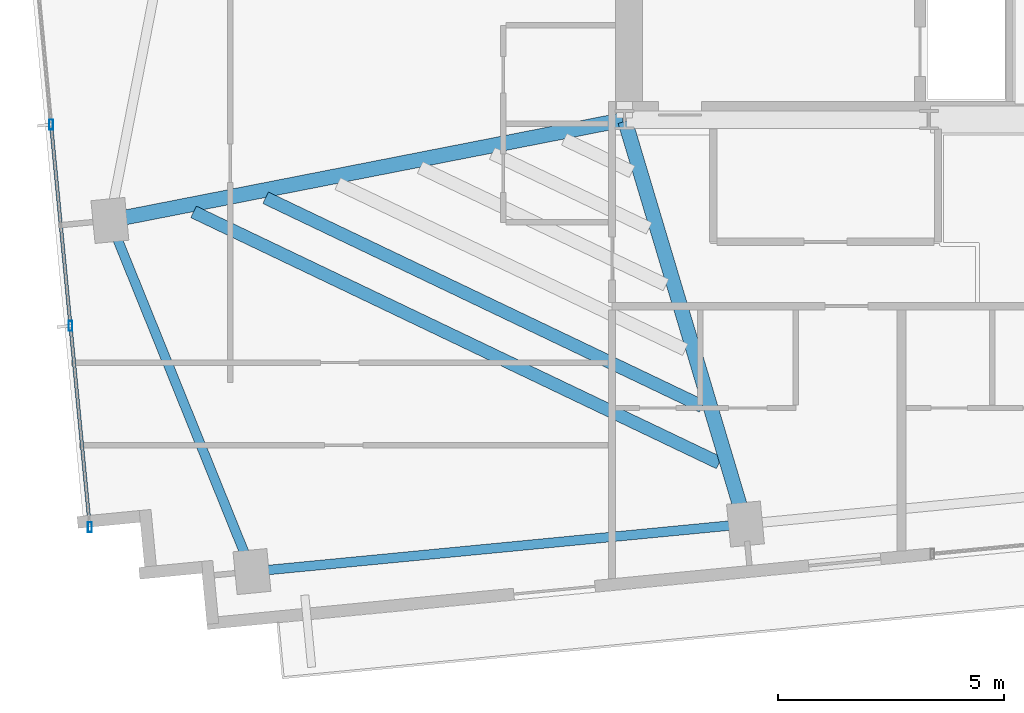
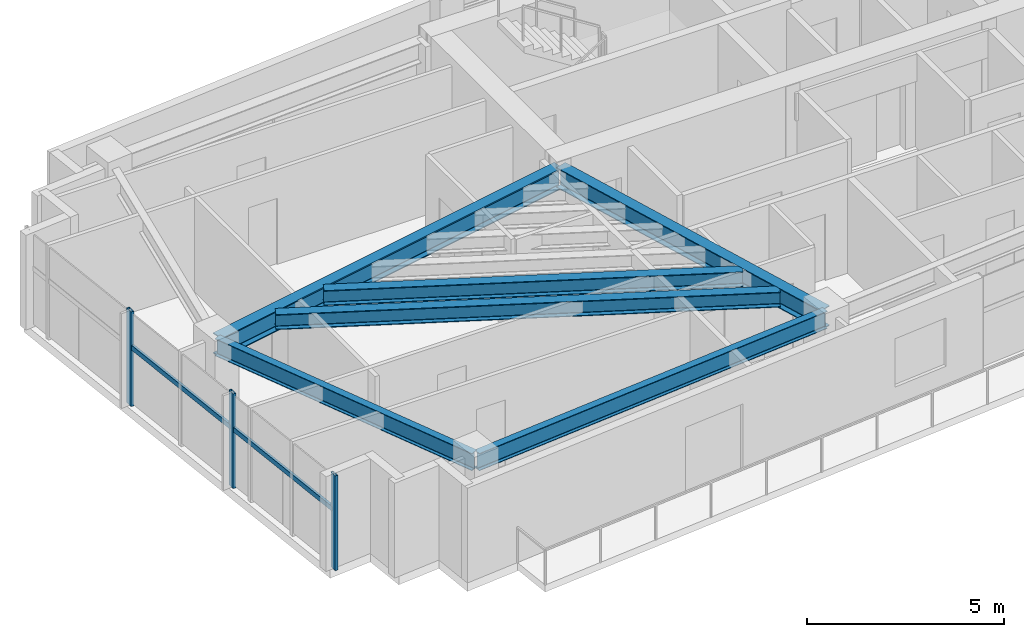
# One storey, part 2 of 18: 6 beams, 5 members, 1 element without a shape of its own.
"""IFC4 building model written with IfcOpenShell, lengths in metres."""

from ifc_helpers import new_model, si_unit, direction, frame, origin, origin_2d, place, context, subcontext, project, spatial, hollow_rectangle, i_section, extrude, source, transform, mapped, material, material_profile, profile_set, type_object, type_shapes, element, aggregate, save


model = new_model("IFC4")

# Units and contexts
model_context = context("Model", 3, precision=1e-05, world=origin(), true_north=direction((0.0, 1.0)))
body_context = subcontext(model_context, "Body", "Model", "MODEL_VIEW")
ifc_project = project(units=[si_unit("LENGTHUNIT", "METRE"), si_unit("AREAUNIT", "SQUARE_METRE"), si_unit("VOLUMEUNIT", "CUBIC_METRE"), si_unit("PLANEANGLEUNIT", "RADIAN"), si_unit("MASSUNIT", "GRAM", prefix="KILO")], contexts=[model_context])

# Site, building, storey
site_placement = place(None, origin())
site = spatial("IfcSite", under=ifc_project, at=site_placement, CompositionType="ELEMENT")
building_placement = place(site_placement, origin())
building = spatial("IfcBuilding", under=site, at=building_placement, Name="Astriad Promenade Condominiums", CompositionType="ELEMENT")
storey_placement = place(building_placement, frame((0.0, 0.0, 189.0)))
storey = spatial("IfcBuildingStorey", under=building, at=storey_placement, Name="L54", CompositionType="ELEMENT", Elevation=189.0)

# Beams
ifc_material_1 = material(Name="Steel ASTM A992 Grade 50", Category="steel")
ifc_material_profile_1 = material_profile(ifc_material_1, i_section(OverallWidth=0.210693359375, OverallDepth=0.53955078125, WebThickness=0.01171875, FlangeThickness=0.018798828125, FilletRadius=0.0166015625, at=origin_2d()), Name="W21X73")
ifc_profile_set_1 = profile_set([ifc_material_profile_1], Name="Steel ASTM A992 Grade 50")
beam_type_1 = type_object("IfcBeamType", Name="STEEL SPANDREL BEAM W21X73", PredefinedType="SPANDREL", material=ifc_profile_set_1)
shared_shape_1 = source(origin(), body_context, "Body", "SweptSolid", [
    extrude(i_section(OverallWidth=0.210693359375, OverallDepth=0.53955078125, WebThickness=0.01171875, FlangeThickness=0.018798828125, FilletRadius=0.0166015625, at=origin_2d()), origin(), (0.0, 0.0, 1.0), 10.8701171875),
])
beam_1_placement = place(storey_placement, frame((18.209228515625, 7.421630859375, 2.67041015625), z_axis=(0.995394986184, 0.09585834069, 0.0), x_axis=(-0.09585834069, 0.995394986184, 0.0)))
element("IfcBeam", 1, at=beam_1_placement, inside=storey, type_object=beam_type_1, Name="Perimeter Spandrel Beam SP-S1-L54", PredefinedType="SPANDREL", context=body_context, shape_type="MappedRepresentation", body=[
    mapped(shared_shape_1, transform((0.0, 0.0, 0.0), scale=1.0)),
])
shared_shape_2 = source(origin(), body_context, "Body", "SweptSolid", [
    extrude(i_section(OverallWidth=0.210693359375, OverallDepth=0.53955078125, WebThickness=0.01171875, FlangeThickness=0.018798828125, FilletRadius=0.0166015625, at=origin_2d()), origin(), (0.0, 0.0, 1.0), 8.28564453125),
])
type_shapes(beam_type_1, [shared_shape_1, shared_shape_2])
beam_2_placement = place(storey_placement, frame((15.046875, 15.1357421875, 2.67041015625), z_axis=(0.375070987134, -0.926996092014, 0.0), x_axis=(0.926996092014, 0.375070987134, 0.0)))
element("IfcBeam", 2, at=beam_2_placement, inside=storey, type_object=beam_type_1, Name="Perimeter Spandrel Beam SP-W1-L54", PredefinedType="SPANDREL", context=body_context, shape_type="MappedRepresentation", body=[
    mapped(shared_shape_2, transform((0.0, 0.0, 0.0), scale=1.0)),
])
ifc_material_profile_2 = material_profile(ifc_material_1, i_section(OverallWidth=0.327392578125, OverallDepth=0.640625, WebThickness=0.01904296875, FlangeThickness=0.033935546875, FilletRadius=0.017822265625, at=origin_2d()), Name="W24X176")
ifc_profile_set_2 = profile_set([ifc_material_profile_2], Name="Steel ASTM A992 Grade 50")
beam_type_2 = type_object("IfcBeamType", Name="STEEL FLOOR GIRDER W24X176", PredefinedType="BEAM", material=ifc_profile_set_2)
shared_shape_3 = source(origin(), body_context, "Body", "SweptSolid", [
    extrude(i_section(OverallWidth=0.327392578125, OverallDepth=0.640625, WebThickness=0.01904296875, FlangeThickness=0.033935546875, FilletRadius=0.017822265625, at=origin_2d()), origin(), (0.0, 0.0, 1.0), 11.504150390625),
])
type_shapes(beam_type_2, [shared_shape_3])
beam_3_placement = place(storey_placement, frame((15.071044921875, 15.1806640625, 2.61962890625), z_axis=(0.981346028441, 0.192249765833, 0.0), x_axis=(-0.192249765833, 0.981346028441, 0.0)))
element("IfcBeam", 3, at=beam_3_placement, inside=storey, type_object=beam_type_2, Name="Primary Floor Girder PG-WM-L54", PredefinedType="BEAM", context=body_context, shape_type="MappedRepresentation", body=[
    mapped(shared_shape_3, transform((0.0, 0.0, 0.0), scale=1.0)),
])
ifc_material_profile_3 = material_profile(ifc_material_1, i_section(OverallWidth=0.326416015625, OverallDepth=0.621826171875, WebThickness=0.015380859375, FlangeThickness=0.0244140625, FilletRadius=0.017822265625, at=origin_2d()), Name="W24X131")
ifc_profile_set_3 = profile_set([ifc_material_profile_3], Name="Steel ASTM A992 Grade 50")
beam_type_3 = type_object("IfcBeamType", Name="STEEL FLOOR GIRDER W24X131", PredefinedType="BEAM", material=ifc_profile_set_3)
shared_shape_4 = source(origin(), body_context, "Body", "SweptSolid", [
    extrude(i_section(OverallWidth=0.326416015625, OverallDepth=0.621826171875, WebThickness=0.015380859375, FlangeThickness=0.0244140625, FilletRadius=0.017822265625, at=origin_2d()), origin(), (0.0, 0.0, 1.0), 9.242919921875),
])
type_shapes(beam_type_3, [shared_shape_4])
beam_4_placement = place(storey_placement, frame((29.0576171875, 8.505615234375, 2.629150390625), z_axis=(-0.286269354745, 0.958149182818, 0.0), x_axis=(-0.958149182818, -0.286269354745, 0.0)))
element("IfcBeam", 4, at=beam_4_placement, inside=storey, type_object=beam_type_3, Name="Primary Floor Girder PG-W2-L54", PredefinedType="BEAM", context=body_context, shape_type="MappedRepresentation", body=[
    mapped(shared_shape_4, transform((0.0, 0.0, 0.0), scale=1.0)),
])
ifc_material_profile_4 = material_profile(ifc_material_1, i_section(OverallWidth=0.283203125, OverallDepth=0.47216796875, WebThickness=0.013671875, FlangeThickness=0.022216796875, FilletRadius=0.01513671875, at=origin_2d()), Name="W18X97")
ifc_profile_set_4 = profile_set([ifc_material_profile_4], Name="Steel ASTM A992 Grade 50")
beam_type_4 = type_object("IfcBeamType", Name="STEEL FLOOR JOIST W18X97", PredefinedType="JOIST", material=ifc_profile_set_4)
shared_shape_5 = source(origin(), body_context, "Body", "SweptSolid", [
    extrude(i_section(OverallWidth=0.283203125, OverallDepth=0.47216796875, WebThickness=0.013671875, FlangeThickness=0.022216796875, FilletRadius=0.01513671875, at=origin_2d()), origin(), (0.0, 0.0, 1.0), 12.864013671875),
])
beam_5_placement = place(storey_placement, frame((16.8798828125, 15.362060546875, 2.703857421875), z_axis=(0.902332932985, -0.431039763886, 0.0), x_axis=(0.431039763886, 0.902332932985, 0.0)))
element("IfcBeam", 5, at=beam_5_placement, inside=storey, type_object=beam_type_4, Name="Secondary Composite Floor Joist JW1-1-L54", PredefinedType="JOIST", context=body_context, shape_type="MappedRepresentation", body=[
    mapped(shared_shape_5, transform((0.0, 0.0, 0.0), scale=1.0)),
])
shared_shape_6 = source(origin(), body_context, "Body", "SweptSolid", [
    extrude(i_section(OverallWidth=0.283203125, OverallDepth=0.47216796875, WebThickness=0.013671875, FlangeThickness=0.022216796875, FilletRadius=0.01513671875, at=origin_2d()), origin(), (0.0, 0.0, 1.0), 10.686279296875),
])
type_shapes(beam_type_4, [shared_shape_5, shared_shape_6])
beam_6_placement = place(storey_placement, frame((18.471435546875, 15.673828125, 2.703857421875), z_axis=(0.902342124644, -0.431020521661, 0.0), x_axis=(0.431020521661, 0.902342124644, 0.0)))
element("IfcBeam", 6, at=beam_6_placement, inside=storey, type_object=beam_type_4, Name="Secondary Composite Floor Joist JW1-2-L54", PredefinedType="JOIST", context=body_context, shape_type="MappedRepresentation", body=[
    mapped(shared_shape_6, transform((0.0, 0.0, 0.0), scale=1.0)),
])

# Curtain wall, members
ifc_material_2 = material(Name="Anodised aluminium Black Dark Glass Unitised", Category="aluminium")
curtain_wall_type = type_object("IfcCurtainWallType", Name="CW-B34-DARK", PredefinedType="USERDEFINED", material=ifc_material_2)
curtain_wall_placement = place(storey_placement, origin())
curtain_wall = element("IfcCurtainWall", 7, at=curtain_wall_placement, inside=storey, type_object=curtain_wall_type, Name="CW-L54-W", ObjectType="UNITISED_CURTAIN_WALL", PredefinedType="USERDEFINED")
ifc_material_3 = material(Name="Anodised aluminium 6063-T6 Black", Category="aluminium")
ifc_material_profile_5 = material_profile(ifc_material_3, hollow_rectangle(XDim=0.0849609375, YDim=0.219970703125, WallThickness=0.0048828125, at=origin_2d()), Name="ALU-MUL-85X220")
ifc_profile_set_5 = profile_set([ifc_material_profile_5], Name="Anodised aluminium 6063-T6 Black")
member_type_1 = type_object("IfcMemberType", Name="MUL-ALU-MUL-85X220", PredefinedType="MULLION", material=ifc_profile_set_5)
shared_shape_7 = source(origin(), body_context, "Body", "SweptSolid", [
    extrude(hollow_rectangle(XDim=0.0849609375, YDim=0.219970703125, WallThickness=0.0048828125, at=origin_2d()), origin(), (0.0, 0.0, 1.0), 2.93994140625),
])
type_shapes(member_type_1, [shared_shape_7])
member_1_placement = place(storey_placement, frame((14.589111328125, 8.3994140625, 0.0), z_axis=(0.0, 0.0, 1.0), x_axis=(1.0, 0.0, 0.0)))
member_1 = element("IfcMember", 8, at=member_1_placement, type_object=member_type_1, Name="CW-L54-W-MUL-00", PredefinedType="MULLION", context=body_context, shape_type="MappedRepresentation", body=[
    mapped(shared_shape_7, transform((0.0, 0.0, 0.0), scale=1.0)),
])
member_2_placement = place(storey_placement, frame((14.160888671875, 12.845458984375, 0.0), z_axis=(0.0, 0.0, 1.0), x_axis=(1.0, 0.0, 0.0)))
member_2 = element("IfcMember", 9, at=member_2_placement, type_object=member_type_1, Name="CW-L54-W-MUL-01", PredefinedType="MULLION", context=body_context, shape_type="MappedRepresentation", body=[
    mapped(shared_shape_7, transform((0.0, 0.0, 0.0), scale=1.0)),
])
member_3_placement = place(storey_placement, frame((13.732666015625, 17.29150390625, 0.0), z_axis=(0.0, 0.0, 1.0), x_axis=(1.0, 0.0, 0.0)))
member_3 = element("IfcMember", 10, at=member_3_placement, type_object=member_type_1, Name="CW-L54-W-MUL-02", PredefinedType="MULLION", context=body_context, shape_type="MappedRepresentation", body=[
    mapped(shared_shape_7, transform((0.0, 0.0, 0.0), scale=1.0)),
])
ifc_material_profile_6 = material_profile(ifc_material_3, hollow_rectangle(XDim=0.074951171875, YDim=0.14990234375, WallThickness=0.004150390625, at=origin_2d()), Name="ALU-TRN-75X150")
ifc_profile_set_6 = profile_set([ifc_material_profile_6], Name="Anodised aluminium 6063-T6 Black")
member_type_2 = type_object("IfcMemberType", Name="TRN-ALU-TRN-75X150", PredefinedType="USERDEFINED", material=ifc_profile_set_6)
shared_shape_8 = source(origin(), body_context, "Body", "SweptSolid", [
    extrude(hollow_rectangle(XDim=0.074951171875, YDim=0.14990234375, WallThickness=0.004150390625, at=origin_2d()), origin(), (0.0, 0.0, 1.0), 4.466552734375),
])
type_shapes(member_type_2, [shared_shape_8])
member_4_placement = place(storey_placement, frame((14.589111328125, 8.3994140625, 1.82275390625), z_axis=(-0.095871755514, 0.995393694221, 0.0), x_axis=(-0.995393694221, -0.095871755514, 0.0)))
member_4 = element("IfcMember", 11, at=member_4_placement, type_object=member_type_2, Name="CW-L54-W-TRN-00-0", ObjectType="TRANSOM", PredefinedType="USERDEFINED", context=body_context, shape_type="MappedRepresentation", body=[
    mapped(shared_shape_8, transform((0.0, 0.0, 0.0), scale=1.0)),
])
member_5_placement = place(storey_placement, frame((14.160888671875, 12.845458984375, 1.82275390625), z_axis=(-0.095871755514, 0.995393694221, 0.0), x_axis=(-0.995393694221, -0.095871755514, 0.0)))
member_5 = element("IfcMember", 12, at=member_5_placement, type_object=member_type_2, Name="CW-L54-W-TRN-01-0", ObjectType="TRANSOM", PredefinedType="USERDEFINED", context=body_context, shape_type="MappedRepresentation", body=[
    mapped(shared_shape_8, transform((0.0, 0.0, 0.0), scale=1.0)),
])
aggregate(curtain_wall, [member_1, member_2, member_3, member_4, member_5])

save(model, "model.ifc")
